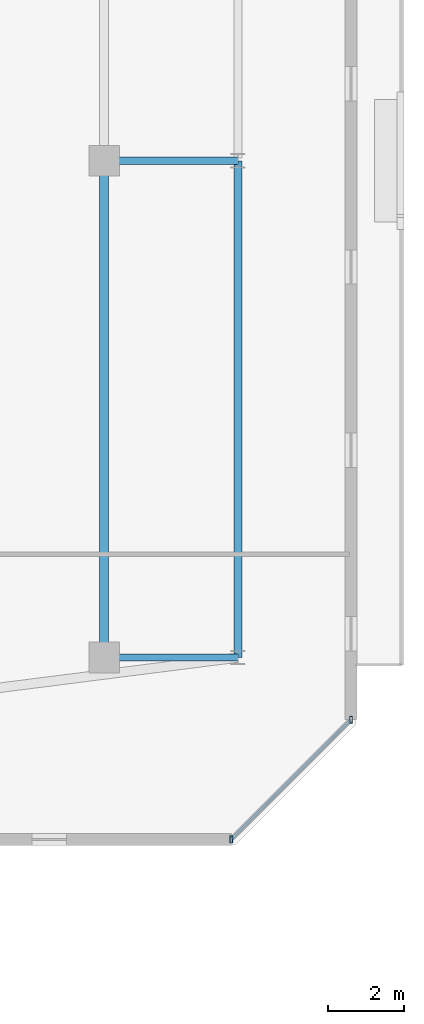
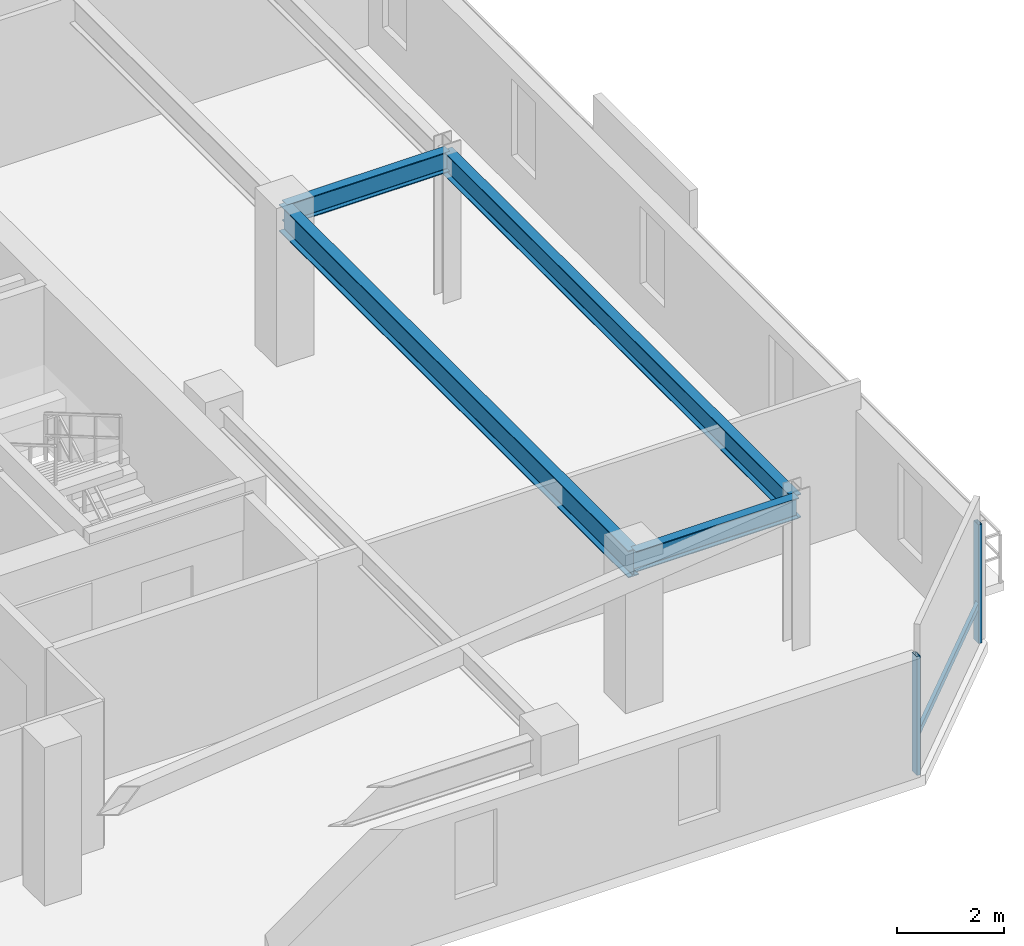
# One storey, part 16 of 35: 4 beams, 3 members, 1 element without a shape of its own.
"""IFC4 building model written with IfcOpenShell, lengths in metres."""

from ifc_helpers import new_model, si_unit, direction, frame, origin, origin_2d, place, context, subcontext, project, spatial, hollow_rectangle, i_section, extrude, material, material_profile, profile_set, type_object, element, aggregate, save


model = new_model("IFC4")

# Units and contexts
model_context = context("Model", 3, precision=1e-05, world=origin(), true_north=direction((0.0, 1.0)))
body_context = subcontext(model_context, "Body", "Model", "MODEL_VIEW")
ifc_project = project(units=[si_unit("LENGTHUNIT", "METRE"), si_unit("AREAUNIT", "SQUARE_METRE"), si_unit("VOLUMEUNIT", "CUBIC_METRE"), si_unit("PLANEANGLEUNIT", "RADIAN"), si_unit("MASSUNIT", "GRAM", prefix="KILO")], contexts=[model_context])

# Site, building, storey
site_placement = place(None, origin())
site = spatial("IfcSite", under=ifc_project, at=site_placement, CompositionType="ELEMENT")
building_placement = place(site_placement, origin())
building = spatial("IfcBuilding", under=site, at=building_placement, Name="Thornwick Lancets Civic Towers", CompositionType="ELEMENT")
storey_placement = place(building_placement, frame((0.0, 0.0, 269.10009765625)))
storey = spatial("IfcBuildingStorey", under=building, at=storey_placement, Name="L72", CompositionType="ELEMENT", Elevation=269.10009765625)

# Beams
ifc_material_1 = material(Name="Steel S355JR", Category="steel")
ifc_material_profile_1 = material_profile(ifc_material_1, i_section(OverallWidth=0.210693359375, OverallDepth=0.53955078125, WebThickness=0.01171875, FlangeThickness=0.018798828125, FilletRadius=0.0126953125, at=origin_2d()), Name="UKB 533x210x109")
ifc_profile_set_1 = profile_set([ifc_material_profile_1], Name="Steel S355JR")
beam_type_1 = type_object("IfcBeamType", Name="BM_EDGE_533_109", PredefinedType="SPANDREL", material=ifc_profile_set_1)
beam_1_placement = place(storey_placement, frame((109.300048828125, 14.0, 3.090087890625), z_axis=(0.0, 1.0, 0.0), x_axis=(-1.0, 0.0, 0.0)))
element("IfcBeam", 1, at=beam_1_placement, inside=storey, type_object=beam_type_1, Name="BM-EDGE-L72-B-S0-1", PredefinedType="SPANDREL", context=body_context, shape_type="SweptSolid", body=[
    extrude(i_section(OverallWidth=0.210693359375, OverallDepth=0.53955078125, WebThickness=0.01171875, FlangeThickness=0.018798828125, FilletRadius=0.0126953125, at=origin_2d()), origin(), (0.0, 0.0, 1.0), 13.0),
])
ifc_material_profile_2 = material_profile(ifc_material_1, i_section(OverallWidth=0.230224609375, OverallDepth=0.6171875, WebThickness=0.01318359375, FlangeThickness=0.022216796875, FilletRadius=0.0126953125, at=origin_2d()), Name="UKB 610x229x140")
ifc_profile_set_2 = profile_set([ifc_material_profile_2], Name="Steel S355JR")
beam_type_2 = type_object("IfcBeamType", Name="BM_GIRD_610_140", PredefinedType="BEAM", material=ifc_profile_set_2)
beam_2_placement = place(storey_placement, frame((105.800048828125, 14.0, 3.05126953125), z_axis=(0.0, 1.0, 0.0), x_axis=(-1.0, 0.0, 0.0)))
element("IfcBeam", 2, at=beam_2_placement, inside=storey, type_object=beam_type_2, Name="BM-SPINE-L72-B-0-1", PredefinedType="BEAM", context=body_context, shape_type="SweptSolid", body=[
    extrude(i_section(OverallWidth=0.230224609375, OverallDepth=0.6171875, WebThickness=0.01318359375, FlangeThickness=0.022216796875, FilletRadius=0.0126953125, at=origin_2d()), origin(), (0.0, 0.0, 1.0), 13.0),
])
ifc_material_profile_3 = material_profile(ifc_material_1, i_section(OverallWidth=0.19287109375, OverallDepth=0.46728515625, WebThickness=0.011474609375, FlangeThickness=0.01953125, FilletRadius=0.01025390625, at=origin_2d()), Name="UKB 457x191x98")
ifc_profile_set_3 = profile_set([ifc_material_profile_3], Name="Steel S355JR")
beam_type_3 = type_object("IfcBeamType", Name="BM_JOIST_457_98", PredefinedType="JOIST", material=ifc_profile_set_3)
for number, where, z_axis, x_axis, name in (
    (3, (105.800048828125, 14.0, 3.126220703125), (1.0, 0.0, 0.0), (0.0, 1.0, 0.0), "BM-RAD-L72-B01"),
    (4, (105.800048828125, 27.0, 3.126220703125), (1.0, 0.0, 0.0), (0.0, 1.0, 0.0), "BM-RAD-L72-B02"),
):
    element("IfcBeam", number, at=place(storey_placement, frame(where, z_axis=z_axis, x_axis=x_axis)), inside=storey, type_object=beam_type_3, Name=name, PredefinedType="JOIST", context=body_context, shape_type="SweptSolid", body=[
        extrude(i_section(OverallWidth=0.19287109375, OverallDepth=0.46728515625, WebThickness=0.011474609375, FlangeThickness=0.01953125, FilletRadius=0.01025390625, at=origin_2d()), origin(), (0.0, 0.0, 1.0), 3.5),
    ])

# Curtain wall, members
ifc_material_2 = material(Name="High-zone chamfered-corner unitised glass curtain wall", Category="glass")
curtain_wall_type = type_object("IfcCurtainWallType", Name="CW_SYS_05", PredefinedType="NOTDEFINED", material=ifc_material_2)
curtain_wall_placement = place(storey_placement, origin())
curtain_wall = element("IfcCurtainWall", 5, at=curtain_wall_placement, inside=storey, type_object=curtain_wall_type, Name="L72 Curtain Wall CW-L72-B-E1", PredefinedType="NOTDEFINED")
ifc_material_3 = material(Name="Thermally broken bronze aluminium S355", Category="steel")
ifc_material_profile_4 = material_profile(ifc_material_3, hollow_rectangle(XDim=0.074951171875, YDim=0.179931640625, WallThickness=0.006103515625, at=origin_2d()), Name="RHS 180x75x6")
ifc_profile_set_4 = profile_set([ifc_material_profile_4], Name="Thermally broken bronze aluminium S355")
member_type_1 = type_object("IfcMemberType", Name="CW_MUL_180", PredefinedType="MULLION", material=ifc_profile_set_4)
member_1_placement = place(storey_placement, frame((109.12939453125, 9.2373046875, 0.0), z_axis=(0.0, 0.0, 1.0), x_axis=(1.0, 0.0, 0.0)))
member_1 = element("IfcMember", 6, at=member_1_placement, type_object=member_type_1, Name="CW-L72-B-E1 Mullion 0", PredefinedType="MULLION", context=body_context, shape_type="SweptSolid", body=[
    extrude(hollow_rectangle(XDim=0.074951171875, YDim=0.179931640625, WallThickness=0.006103515625, at=origin_2d()), origin(), (0.0, 0.0, 1.0), 2.699951171875),
])
member_2_placement = place(storey_placement, frame((112.2626953125, 12.37060546875, 0.0), z_axis=(0.0, 0.0, 1.0), x_axis=(1.0, 0.0, 0.0)))
member_2 = element("IfcMember", 7, at=member_2_placement, type_object=member_type_1, Name="CW-L72-B-E1 Mullion 1", PredefinedType="MULLION", context=body_context, shape_type="SweptSolid", body=[
    extrude(hollow_rectangle(XDim=0.074951171875, YDim=0.179931640625, WallThickness=0.006103515625, at=origin_2d()), origin(), (0.0, 0.0, 1.0), 2.699951171875),
])
ifc_material_profile_5 = material_profile(ifc_material_3, hollow_rectangle(XDim=0.074951171875, YDim=0.14990234375, WallThickness=0.0048828125, at=origin_2d()), Name="RHS 150x75x5")
ifc_profile_set_5 = profile_set([ifc_material_profile_5], Name="Thermally broken bronze aluminium S355")
member_type_2 = type_object("IfcMemberType", Name="CW_TRN_150", PredefinedType="USERDEFINED", material=ifc_profile_set_5)
member_3_placement = place(storey_placement, frame((109.1435546875, 9.251220703125, 0.849853515625), z_axis=(0.707106781187, 0.707106781187, 0.0), x_axis=(-0.707106781187, 0.707106781187, 0.0)))
member_3 = element("IfcMember", 8, at=member_3_placement, type_object=member_type_2, Name="CW-L72-B-E1 Transom 0", ObjectType="TRANSOM", PredefinedType="USERDEFINED", context=body_context, shape_type="SweptSolid", body=[
    extrude(hollow_rectangle(XDim=0.074951171875, YDim=0.14990234375, WallThickness=0.0048828125, at=origin_2d()), origin(), (0.0, 0.0, 1.0), 4.391357421875),
])
aggregate(curtain_wall, [member_1, member_2, member_3])

save(model, "model.ifc")
